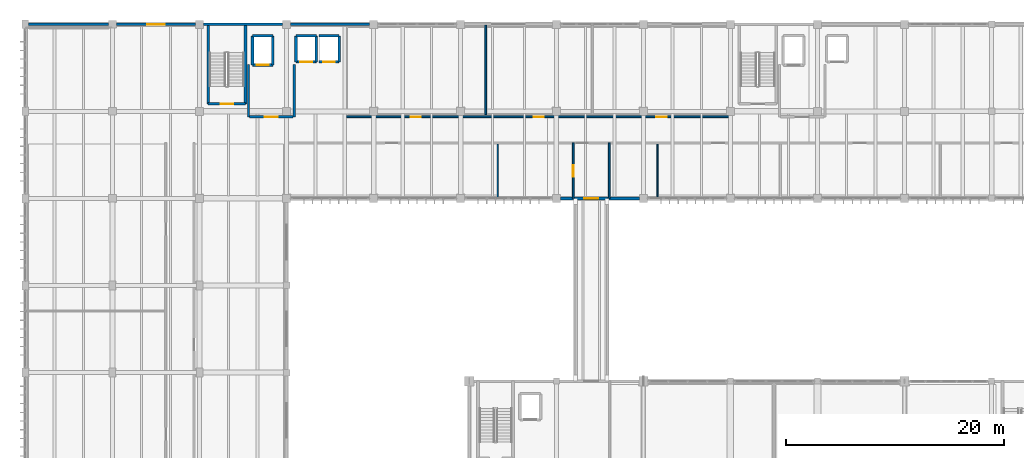
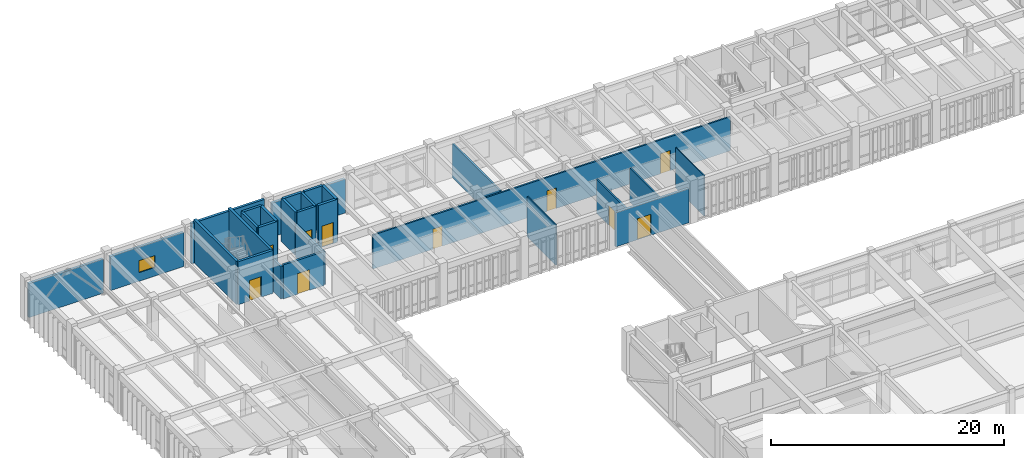
# One storey, part 59 of 79: 28 walls, 10 doors, 1 window, 11 openings.
"""IFC4 building model written with IfcOpenShell, lengths in metres."""

from ifc_helpers import new_model, si_unit, direction, frame, frame_2d, origin, place, context, subcontext, project, spatial, rectangle, extrude, material, layer, layer_set, type_object, element, fill, save


model = new_model("IFC4")

# Units and contexts
model_context = context("Model", 3, precision=1e-05, world=origin(), true_north=direction((0.0, 1.0)))
body_context = subcontext(model_context, "Body", "Model", "MODEL_VIEW")
ifc_project = project(units=[si_unit("LENGTHUNIT", "METRE"), si_unit("AREAUNIT", "SQUARE_METRE"), si_unit("VOLUMEUNIT", "CUBIC_METRE"), si_unit("PLANEANGLEUNIT", "RADIAN"), si_unit("MASSUNIT", "GRAM", prefix="KILO")], contexts=[model_context])

# Site, building, storey
site_placement = place(None, origin())
site = spatial("IfcSite", under=ifc_project, at=site_placement, CompositionType="ELEMENT")
building_placement = place(site_placement, origin())
building = spatial("IfcBuilding", under=site, at=building_placement, Name="Tlaxcora Railside Police Headquarters", CompositionType="ELEMENT")
storey_placement = place(building_placement, frame((0.0, 0.0, 9.0)))
storey = spatial("IfcBuildingStorey", under=building, at=storey_placement, Name="L02", CompositionType="ELEMENT", Elevation=9.0)

# Walls
ifc_material_1 = material(Name="Gypsum acoustic partition board")
ifc_layer_1 = layer(ifc_material_1, 0.10791015625, Name="Gypsum acoustic partition board")
ifc_layer_set_1 = layer_set([ifc_layer_1], Name="Gypsum acoustic partition board")
wall_type_1 = type_object("IfcWallType", Name="Interior Partition Wall IW-19", PredefinedType="PARTITIONING", material=ifc_layer_set_1)
wall_1_placement = place(storey_placement, frame((48.60498046875, 76.8798828125, 0.0), z_axis=(0.0, 0.0, 1.0), x_axis=(0.0, 1.0, 0.0)))
element("IfcWall", 1, at=wall_1_placement, inside=storey, type_object=wall_type_1, Name="V5 L02 interior partition 152", PredefinedType="PARTITIONING", context=body_context, shape_type="SweptSolid", body=[
    extrude(rectangle(XDim=4.920166015625, YDim=0.10791015625, at=frame_2d((2.4599609375, 0.0))), origin(), (0.0, 0.0, 1.0), 4.219970703125),
])
ifc_layer_2 = layer(ifc_material_1, 0.10009765625, Name="Gypsum acoustic partition board")
ifc_layer_set_2 = layer_set([ifc_layer_2], Name="Gypsum acoustic partition board")
wall_type_2 = type_object("IfcWallType", Name="Interior Partition Wall IW-45", PredefinedType="PARTITIONING", material=ifc_layer_set_2)
wall_2_placement = place(storey_placement, frame((63.291015625, 76.8798828125, 0.0), z_axis=(0.0, 0.0, 1.0), x_axis=(0.0, 1.0, 0.0)))
element("IfcWall", 2, at=wall_2_placement, inside=storey, type_object=wall_type_2, Name="V5 L02 interior partition 153", PredefinedType="PARTITIONING", context=body_context, shape_type="SweptSolid", body=[
    extrude(rectangle(XDim=4.920166015625, YDim=0.10009765625, at=frame_2d((2.4599609375, 0.0))), origin(), (0.0, 0.0, 1.0), 4.219970703125),
])

# Wall, opening, door
ifc_material_2 = material(Name="Pressed clay brick masonry", Category="masonry")
ifc_layer_3 = layer(ifc_material_2, 0.199951171875, Name="Pressed clay brick masonry")
ifc_layer_set_3 = layer_set([ifc_layer_3], Name="Pressed clay brick masonry")
wall_type_3 = type_object("IfcWallType", Name="Interior Partition Wall IW-60", PredefinedType="PARTITIONING", material=ifc_layer_set_3)
wall_3_placement = place(storey_placement, frame((25.800048828125, 84.300048828125, 0.0), z_axis=(0.0, 0.0, 1.0), x_axis=(1.0, 0.0, 0.0)))
wall_3 = element("IfcWall", 3, at=wall_3_placement, inside=storey, type_object=wall_type_3, Name="V5 L02 interior partition 118", PredefinedType="PARTITIONING", context=body_context, shape_type="SweptSolid", body=[
    extrude(rectangle(XDim=4.0, YDim=0.199951171875, at=frame_2d((2.0, 0.0))), origin(), (0.0, 0.0, 1.0), 3.554931640625),
])
opening_1_placement = place(wall_3_placement, frame((1.39990234375, 0.0, 0.0)))
opening_1 = element("IfcOpeningElement", 4, at=opening_1_placement, cuts=wall_3, Name="Opening D-L02-158", PredefinedType="OPENING", context=body_context, shape_type="SweptSolid", body=[
    extrude(rectangle(XDim=1.199951171875, YDim=2.14990234375, at=frame_2d((0.60009765625, 1.074951171875))), frame((0.0, 0.10986328125, 0.0), z_axis=(0.0, -1.0, 0.0), x_axis=(1.0, 0.0, 0.0)), (0.0, 0.0, 1.0), 0.219970703125),
])
ifc_material_3 = material(Name="Steel ASTM A992 Grade 50", Category="steel")
door_type_1 = type_object("IfcDoorType", Name="Swing or Sliding Personnel Door ID-14", OperationType="NOTDEFINED", PredefinedType="DOOR", material=ifc_material_3)
door_1_placement = place(opening_1_placement, origin())
door_1 = element("IfcDoor", 5, at=door_1_placement, inside=storey, type_object=door_type_1, Name="V5 L02 door D-L02-158", OperationType="DOUBLE_DOOR_SINGLE_SWING", OverallHeight=2.14990234375, OverallWidth=1.199951171875, PredefinedType="DOOR", context=body_context, shape_type="SweptSolid", body=[
    extrude(rectangle(XDim=1.199951171875, YDim=2.14990234375, at=frame_2d((0.60009765625, 1.074951171875))), frame((0.0, 0.02490234375, 0.0), z_axis=(0.0, -1.0, 0.0), x_axis=(1.0, 0.0, 0.0)), (0.0, 0.0, 1.0), 0.050048828125),
])
fill(opening_1, door_1)

# Walls
wall_4_placement = place(storey_placement, frame((25.699951171875, 84.300048828125, 0.0), z_axis=(0.0, 0.0, 1.0), x_axis=(0.0, 1.0, 0.0)))
element("IfcWall", 6, at=wall_4_placement, inside=storey, type_object=wall_type_3, Name="V5 L02 interior partition 119", PredefinedType="PARTITIONING", context=body_context, shape_type="SweptSolid", body=[
    extrude(rectangle(XDim=4.800048828125, YDim=0.199951171875, at=frame_2d((2.39990234375, 0.0))), origin(), (0.0, 0.0, 1.0), 3.35498046875),
])
wall_5_placement = place(storey_placement, frame((29.89990234375, 84.300048828125, 0.0), z_axis=(0.0, 0.0, 1.0), x_axis=(0.0, 1.0, 0.0)))
element("IfcWall", 7, at=wall_5_placement, inside=storey, type_object=wall_type_3, Name="V5 L02 interior partition 120", PredefinedType="PARTITIONING", context=body_context, shape_type="SweptSolid", body=[
    extrude(rectangle(XDim=4.800048828125, YDim=0.199951171875, at=frame_2d((2.39990234375, 0.0))), origin(), (0.0, 0.0, 1.0), 3.455078125),
])
ifc_layer_4 = layer(ifc_material_1, 0.159912109375, Name="Gypsum acoustic partition board")
ifc_layer_set_4 = layer_set([ifc_layer_4], Name="Gypsum acoustic partition board")
wall_type_4 = type_object("IfcWallType", Name="Interior Partition Wall IW-73", PredefinedType="PARTITIONING", material=ifc_layer_set_4)
wall_6_placement = place(storey_placement, frame((47.510986328125, 84.5, 0.0), z_axis=(0.0, 0.0, 1.0), x_axis=(0.0, 1.0, 0.0)))
element("IfcWall", 8, at=wall_6_placement, inside=storey, type_object=wall_type_4, Name="V5 L02 interior partition 157", PredefinedType="PARTITIONING", context=body_context, shape_type="SweptSolid", body=[
    extrude(rectangle(XDim=8.219970703125, YDim=0.159912109375, at=frame_2d((4.10986328125, 0.0))), origin(), (0.0, 0.0, 1.0), 3.554931640625),
])

# Wall, openings, doors
wall_7_placement = place(storey_placement, frame((34.699951171875, 84.300048828125, 0.0), z_axis=(0.0, 0.0, 1.0), x_axis=(1.0, 0.0, 0.0)))
wall_7 = element("IfcWall", 9, at=wall_7_placement, inside=storey, type_object=wall_type_4, Name="V5 L02 interior partition 159", PredefinedType="PARTITIONING", context=body_context, shape_type="SweptSolid", body=[
    extrude(rectangle(XDim=35.400146484375, YDim=0.159912109375, at=frame_2d((17.7001953125, 0.0))), origin(), (0.0, 0.0, 1.0), 3.554931640625),
])
opening_2_placement = place(wall_7_placement, frame((5.919921875, 0.0, 0.0)))
opening_2 = element("IfcOpeningElement", 10, at=opening_2_placement, cuts=wall_7, Name="Opening D-L02-191", PredefinedType="OPENING", context=body_context, shape_type="SweptSolid", body=[
    extrude(rectangle(XDim=0.919921875, YDim=2.10009765625, at=frame_2d((0.4599609375, 1.050048828125))), frame((0.0, 0.08984375, 0.0), z_axis=(0.0, -1.0, 0.0), x_axis=(1.0, 0.0, 0.0)), (0.0, 0.0, 1.0), 0.179931640625),
])
opening_3_placement = place(wall_7_placement, frame((17.199951171875, 0.0, 0.0)))
opening_3 = element("IfcOpeningElement", 11, at=opening_3_placement, cuts=wall_7, Name="Opening D-L02-192", PredefinedType="OPENING", context=body_context, shape_type="SweptSolid", body=[
    extrude(rectangle(XDim=0.949951171875, YDim=2.14990234375, at=frame_2d((0.47509765625, 1.074951171875))), frame((0.0, 0.08984375, 0.0), z_axis=(0.0, -1.0, 0.0), x_axis=(1.0, 0.0, 0.0)), (0.0, 0.0, 1.0), 0.179931640625),
])
opening_4_placement = place(wall_7_placement, frame((28.47998046875, 0.0, 0.0)))
opening_4 = element("IfcOpeningElement", 12, at=opening_4_placement, cuts=wall_7, Name="Opening D-L02-193", PredefinedType="OPENING", context=body_context, shape_type="SweptSolid", body=[
    extrude(rectangle(XDim=0.97998046875, YDim=2.1201171875, at=frame_2d((0.489990234375, 1.06005859375))), frame((0.0, 0.08984375, 0.0), z_axis=(0.0, -1.0, 0.0), x_axis=(1.0, 0.0, 0.0)), (0.0, 0.0, 1.0), 0.179931640625),
])
door_type_2 = type_object("IfcDoorType", Name="Swing or Sliding Personnel Door ID-31", OperationType="NOTDEFINED", PredefinedType="DOOR", material=ifc_material_3)
door_2_placement = place(opening_3_placement, origin())
door_2 = element("IfcDoor", 13, at=door_2_placement, inside=storey, type_object=door_type_2, Name="V5 L02 door D-L02-192", OperationType="SINGLE_SWING_LEFT", OverallHeight=2.14990234375, OverallWidth=0.949951171875, PredefinedType="DOOR", context=body_context, shape_type="SweptSolid", body=[
    extrude(rectangle(XDim=0.949951171875, YDim=2.14990234375, at=frame_2d((0.47509765625, 1.074951171875))), frame((0.0, 0.02490234375, 0.0), z_axis=(0.0, -1.0, 0.0), x_axis=(1.0, 0.0, 0.0)), (0.0, 0.0, 1.0), 0.050048828125),
])
fill(opening_3, door_2)
door_type_3 = type_object("IfcDoorType", Name="Swing or Sliding Personnel Door ID-49", OperationType="NOTDEFINED", PredefinedType="DOOR", material=ifc_material_3)
door_3_placement = place(opening_2_placement, origin())
door_3 = element("IfcDoor", 14, at=door_3_placement, inside=storey, type_object=door_type_3, Name="V5 L02 door D-L02-191", OperationType="SINGLE_SWING_RIGHT", OverallHeight=2.10009765625, OverallWidth=0.919921875, PredefinedType="DOOR", context=body_context, shape_type="SweptSolid", body=[
    extrude(rectangle(XDim=0.919921875, YDim=2.10009765625, at=frame_2d((0.4599609375, 1.050048828125))), frame((0.0, 0.02490234375, 0.0), z_axis=(0.0, -1.0, 0.0), x_axis=(1.0, 0.0, 0.0)), (0.0, 0.0, 1.0), 0.050048828125),
])
fill(opening_2, door_3)
door_type_4 = type_object("IfcDoorType", Name="Swing or Sliding Personnel Door ID-74", OperationType="NOTDEFINED", PredefinedType="DOOR", material=ifc_material_3)
door_4_placement = place(opening_4_placement, origin())
door_4 = element("IfcDoor", 15, at=door_4_placement, inside=storey, type_object=door_type_4, Name="V5 L02 door D-L02-193", OperationType="SINGLE_SWING_RIGHT", OverallHeight=2.1201171875, OverallWidth=0.97998046875, PredefinedType="DOOR", context=body_context, shape_type="SweptSolid", body=[
    extrude(rectangle(XDim=0.97998046875, YDim=2.1201171875, at=frame_2d((0.489990234375, 1.06005859375))), frame((0.0, 0.02490234375, 0.0), z_axis=(0.0, -1.0, 0.0), x_axis=(1.0, 0.0, 0.0)), (0.0, 0.0, 1.0), 0.050048828125),
])
fill(opening_4, door_4)

# Wall, opening, door
wall_8_placement = place(storey_placement, frame((55.550048828125, 76.800048828125, 0.0), z_axis=(0.0, 0.0, 1.0), x_axis=(0.0, 1.0, 0.0)))
wall_8 = element("IfcWall", 16, at=wall_8_placement, inside=storey, type_object=wall_type_4, Name="V5 L02 interior partition 163", PredefinedType="PARTITIONING", context=body_context, shape_type="SweptSolid", body=[
    extrude(rectangle(XDim=5.099853515625, YDim=0.159912109375, at=frame_2d((2.5498046875, 0.0))), origin(), (0.0, 0.0, 1.0), 3.554931640625),
])
opening_5_placement = place(wall_8_placement, frame((2.0, 0.0, 0.0)))
opening_5 = element("IfcOpeningElement", 17, at=opening_5_placement, cuts=wall_8, Name="Opening D-L02-197", PredefinedType="OPENING", context=body_context, shape_type="SweptSolid", body=[
    extrude(rectangle(XDim=1.050048828125, YDim=2.10009765625, at=frame_2d((0.52490234375, 1.050048828125))), frame((0.0, 0.08984375, 0.0), z_axis=(0.0, -1.0, 0.0), x_axis=(1.0, 0.0, 0.0)), (0.0, 0.0, 1.0), 0.179931640625),
])
door_type_5 = type_object("IfcDoorType", Name="Swing or Sliding Personnel Door ID-52", OperationType="NOTDEFINED", PredefinedType="DOOR", material=ifc_material_3)
door_5_placement = place(opening_5_placement, origin())
door_5 = element("IfcDoor", 18, at=door_5_placement, inside=storey, type_object=door_type_5, Name="V5 L02 door D-L02-197", OperationType="SINGLE_SWING_RIGHT", OverallHeight=2.10009765625, OverallWidth=1.050048828125, PredefinedType="DOOR", context=body_context, shape_type="SweptSolid", body=[
    extrude(rectangle(XDim=1.050048828125, YDim=2.10009765625, at=frame_2d((0.52490234375, 1.050048828125))), frame((0.0, 0.02490234375, 0.0), z_axis=(0.0, -1.0, 0.0), x_axis=(1.0, 0.0, 0.0)), (0.0, 0.0, 1.0), 0.050048828125),
])
fill(opening_5, door_5)

# Wall
wall_9_placement = place(storey_placement, frame((58.85009765625, 76.800048828125, 0.0), z_axis=(0.0, 0.0, 1.0), x_axis=(0.0, 1.0, 0.0)))
element("IfcWall", 19, at=wall_9_placement, inside=storey, type_object=wall_type_4, Name="V5 L02 interior partition 164", PredefinedType="PARTITIONING", context=body_context, shape_type="SweptSolid", body=[
    extrude(rectangle(XDim=5.099853515625, YDim=0.159912109375, at=frame_2d((2.5498046875, 0.0))), origin(), (0.0, 0.0, 1.0), 3.554931640625),
])

# Wall, opening, door
ifc_material_4 = material(Name="Concrete C40/50", Category="concrete")
ifc_layer_5 = layer(ifc_material_4, 0.25, Name="Concrete C40/50")
ifc_layer_set_5 = layer_set([ifc_layer_5], Name="Concrete C40/50")
wall_type_5 = type_object("IfcWallType", Name="Shear Core Wall IW-13", PredefinedType="SHEAR", material=ifc_layer_set_5)
wall_10_placement = place(storey_placement, frame((22.0, 85.5, 0.0), z_axis=(0.0, 0.0, 1.0), x_axis=(1.0, 0.0, 0.0)))
wall_10 = element("IfcWall", 20, at=wall_10_placement, inside=storey, type_object=wall_type_5, Name="CORE-C1 L02 stair core wall S", PredefinedType="SHEAR", context=body_context, shape_type="SweptSolid", body=[
    extrude(rectangle(XDim=3.419921875, YDim=0.25, at=frame_2d((1.7099609375, 0.0))), origin(), (0.0, 0.0, 1.0), 4.5),
])
opening_6_placement = place(wall_10_placement, frame((1.135009765625, 0.0, 0.0)))
opening_6 = element("IfcOpeningElement", 21, at=opening_6_placement, cuts=wall_10, Name="Opening SD-L02-004", PredefinedType="OPENING", context=body_context, shape_type="SweptSolid", body=[
    extrude(rectangle(XDim=1.14990234375, YDim=2.14990234375, at=frame_2d((0.574951171875, 1.074951171875))), frame((0.0, 0.135009765625, 0.0), z_axis=(0.0, -1.0, 0.0), x_axis=(1.0, 0.0, 0.0)), (0.0, 0.0, 1.0), 0.27001953125),
])
door_type_6 = type_object("IfcDoorType", Name="Swing or Sliding Personnel Door ID-73", OperationType="NOTDEFINED", PredefinedType="DOOR", material=ifc_material_3)
door_6_placement = place(opening_6_placement, origin())
door_6 = element("IfcDoor", 22, at=door_6_placement, inside=storey, type_object=door_type_6, Name="Stair ST1 L02 enclosure fire door", OperationType="SINGLE_SWING_RIGHT", OverallHeight=2.14990234375, OverallWidth=1.14990234375, PredefinedType="DOOR", context=body_context, shape_type="SweptSolid", body=[
    extrude(rectangle(XDim=1.14990234375, YDim=2.14990234375, at=frame_2d((0.574951171875, 1.074951171875))), frame((0.0, 0.02490234375, 0.0), z_axis=(0.0, -1.0, 0.0), x_axis=(1.0, 0.0, 0.0)), (0.0, 0.0, 1.0), 0.050048828125),
])
fill(opening_6, door_6)

# Walls
for number, where, z_axis, x_axis, name in (
    (23, (25.419921875, 85.5, 0.0), (0.0, 0.0, 1.0), (0.0, 1.0, 0.0), "CORE-C1 L02 stair core wall E"),
    (24, (22.0, 92.800048828125, 0.0), (0.0, 0.0, 1.0), (0.0, -1.0, 0.0), "CORE-C1 L02 stair core wall W"),
):
    element("IfcWall", number, at=place(storey_placement, frame(where, z_axis=z_axis, x_axis=x_axis)), inside=storey, type_object=wall_type_5, Name=name, PredefinedType="SHEAR", context=body_context, shape_type="SweptSolid", body=[
        extrude(rectangle(XDim=7.300048828125, YDim=0.25, at=frame_2d((3.64990234375, 0.0))), origin(), (0.0, 0.0, 1.0), 4.5),
    ])

# Wall, opening, door
wall_11_placement = place(storey_placement, frame((26.06005859375, 89.06005859375, 0.0), z_axis=(0.0, 0.0, 1.0), x_axis=(1.0, 0.0, 0.0)))
wall_11 = element("IfcWall", 25, at=wall_11_placement, inside=storey, type_object=wall_type_5, Name="Lift FFL-01 L02 shaft wall S", PredefinedType="SHEAR", context=body_context, shape_type="SweptSolid", body=[
    extrude(rectangle(XDim=1.8798828125, YDim=0.25, at=frame_2d((0.93994140625, 0.0))), origin(), (0.0, 0.0, 1.0), 4.5),
])
opening_7_placement = place(wall_11_placement, frame((0.389892578125, 0.0, 0.0)))
opening_7 = element("IfcOpeningElement", 26, at=opening_7_placement, cuts=wall_11, Name="Opening LD-FFL-01-L02", PredefinedType="OPENING", context=body_context, shape_type="SweptSolid", body=[
    extrude(rectangle(XDim=1.10009765625, YDim=2.199951171875, at=frame_2d((0.550048828125, 1.10009765625))), frame((0.0, 0.135009765625, 0.0), z_axis=(0.0, -1.0, 0.0), x_axis=(1.0, 0.0, 0.0)), (0.0, 0.0, 1.0), 0.27001953125),
])
door_type_7 = type_object("IfcDoorType", Name="Swing or Sliding Personnel Door ID-15", OperationType="NOTDEFINED", PredefinedType="DOOR", material=ifc_material_3)
door_7_placement = place(opening_7_placement, origin())
door_7 = element("IfcDoor", 27, at=door_7_placement, inside=storey, type_object=door_type_7, Name="Lift FFL-01 L02 sliding landing door", OperationType="DOUBLE_DOOR_SLIDING", OverallHeight=2.199951171875, OverallWidth=1.10009765625, PredefinedType="DOOR", context=body_context, shape_type="SweptSolid", body=[
    extrude(rectangle(XDim=1.10009765625, YDim=2.199951171875, at=frame_2d((0.550048828125, 1.10009765625))), frame((0.0, 0.02490234375, 0.0), z_axis=(0.0, -1.0, 0.0), x_axis=(1.0, 0.0, 0.0)), (0.0, 0.0, 1.0), 0.050048828125),
])
fill(opening_7, door_7)

# Walls
wall_12_placement = place(storey_placement, frame((27.93994140625, 89.06005859375, 0.0), z_axis=(0.0, 0.0, 1.0), x_axis=(0.0, 1.0, 0.0)))
element("IfcWall", 28, at=wall_12_placement, inside=storey, type_object=wall_type_5, Name="Lift FFL-01 L02 shaft wall E", PredefinedType="SHEAR", context=body_context, shape_type="SweptSolid", body=[
    extrude(rectangle(XDim=2.679931640625, YDim=0.25, at=frame_2d((1.33984375, 0.0))), origin(), (0.0, 0.0, 1.0), 4.5),
])
wall_13_placement = place(storey_placement, frame((27.93994140625, 91.739990234375, 0.0), z_axis=(0.0, 0.0, 1.0), x_axis=(-1.0, 0.0, 0.0)))
element("IfcWall", 29, at=wall_13_placement, inside=storey, type_object=wall_type_5, Name="Lift FFL-01 L02 shaft wall N", PredefinedType="SHEAR", context=body_context, shape_type="SweptSolid", body=[
    extrude(rectangle(XDim=1.8798828125, YDim=0.25, at=frame_2d((0.93994140625, 0.0))), origin(), (0.0, 0.0, 1.0), 4.5),
])
wall_14_placement = place(storey_placement, frame((26.06005859375, 91.739990234375, 0.0), z_axis=(0.0, 0.0, 1.0), x_axis=(0.0, -1.0, 0.0)))
element("IfcWall", 30, at=wall_14_placement, inside=storey, type_object=wall_type_5, Name="Lift FFL-01 L02 shaft wall W", PredefinedType="SHEAR", context=body_context, shape_type="SweptSolid", body=[
    extrude(rectangle(XDim=2.679931640625, YDim=0.25, at=frame_2d((1.33984375, 0.0))), origin(), (0.0, 0.0, 1.0), 4.5),
])

# Wall, opening, door
wall_15_placement = place(storey_placement, frame((30.06005859375, 89.360107421875, 0.0), z_axis=(0.0, 0.0, 1.0), x_axis=(1.0, 0.0, 0.0)))
wall_15 = element("IfcWall", 31, at=wall_15_placement, inside=storey, type_object=wall_type_5, Name="Lift PL-01 L02 shaft wall S", PredefinedType="SHEAR", context=body_context, shape_type="SweptSolid", body=[
    extrude(rectangle(XDim=1.8798828125, YDim=0.25, at=frame_2d((0.93994140625, 0.0))), origin(), (0.0, 0.0, 1.0), 4.5),
])
opening_8_placement = place(wall_15_placement, frame((0.389892578125, 0.0, 0.0)))
opening_8 = element("IfcOpeningElement", 32, at=opening_8_placement, cuts=wall_15, Name="Opening LD-PL-01-L02", PredefinedType="OPENING", context=body_context, shape_type="SweptSolid", body=[
    extrude(rectangle(XDim=1.10009765625, YDim=2.199951171875, at=frame_2d((0.550048828125, 1.10009765625))), frame((0.0, 0.135009765625, 0.0), z_axis=(0.0, -1.0, 0.0), x_axis=(1.0, 0.0, 0.0)), (0.0, 0.0, 1.0), 0.27001953125),
])
door_8_placement = place(opening_8_placement, origin())
door_8 = element("IfcDoor", 33, at=door_8_placement, inside=storey, type_object=door_type_7, Name="Lift PL-01 L02 sliding landing door", OperationType="DOUBLE_DOOR_SLIDING", OverallHeight=2.199951171875, OverallWidth=1.10009765625, PredefinedType="DOOR", context=body_context, shape_type="SweptSolid", body=[
    extrude(rectangle(XDim=1.10009765625, YDim=2.199951171875, at=frame_2d((0.550048828125, 1.10009765625))), frame((0.0, 0.02490234375, 0.0), z_axis=(0.0, -1.0, 0.0), x_axis=(1.0, 0.0, 0.0)), (0.0, 0.0, 1.0), 0.050048828125),
])
fill(opening_8, door_8)

# Walls
wall_16_placement = place(storey_placement, frame((31.93994140625, 89.360107421875, 0.0), z_axis=(0.0, 0.0, 1.0), x_axis=(0.0, 1.0, 0.0)))
element("IfcWall", 34, at=wall_16_placement, inside=storey, type_object=wall_type_5, Name="Lift PL-01 L02 shaft wall E", PredefinedType="SHEAR", context=body_context, shape_type="SweptSolid", body=[
    extrude(rectangle(XDim=2.3798828125, YDim=0.25, at=frame_2d((1.18994140625, 0.0))), origin(), (0.0, 0.0, 1.0), 4.5),
])
wall_17_placement = place(storey_placement, frame((31.93994140625, 91.739990234375, 0.0), z_axis=(0.0, 0.0, 1.0), x_axis=(-1.0, 0.0, 0.0)))
element("IfcWall", 35, at=wall_17_placement, inside=storey, type_object=wall_type_5, Name="Lift PL-01 L02 shaft wall N", PredefinedType="SHEAR", context=body_context, shape_type="SweptSolid", body=[
    extrude(rectangle(XDim=1.8798828125, YDim=0.25, at=frame_2d((0.93994140625, 0.0))), origin(), (0.0, 0.0, 1.0), 4.5),
])
wall_18_placement = place(storey_placement, frame((30.06005859375, 91.739990234375, 0.0), z_axis=(0.0, 0.0, 1.0), x_axis=(0.0, -1.0, 0.0)))
element("IfcWall", 36, at=wall_18_placement, inside=storey, type_object=wall_type_5, Name="Lift PL-01 L02 shaft wall W", PredefinedType="SHEAR", context=body_context, shape_type="SweptSolid", body=[
    extrude(rectangle(XDim=2.3798828125, YDim=0.25, at=frame_2d((1.18994140625, 0.0))), origin(), (0.0, 0.0, 1.0), 4.5),
])

# Wall, opening, door
wall_19_placement = place(storey_placement, frame((32.159912109375, 89.360107421875, 0.0), z_axis=(0.0, 0.0, 1.0), x_axis=(1.0, 0.0, 0.0)))
wall_19 = element("IfcWall", 37, at=wall_19_placement, inside=storey, type_object=wall_type_5, Name="Lift PL-02 L02 shaft wall S", PredefinedType="SHEAR", context=body_context, shape_type="SweptSolid", body=[
    extrude(rectangle(XDim=1.880126953125, YDim=0.25, at=frame_2d((0.93994140625, 0.0))), origin(), (0.0, 0.0, 1.0), 4.5),
])
opening_9_placement = place(wall_19_placement, frame((0.389892578125, 0.0, 0.0)))
opening_9 = element("IfcOpeningElement", 38, at=opening_9_placement, cuts=wall_19, Name="Opening LD-PL-02-L02", PredefinedType="OPENING", context=body_context, shape_type="SweptSolid", body=[
    extrude(rectangle(XDim=1.10009765625, YDim=2.199951171875, at=frame_2d((0.550048828125, 1.10009765625))), frame((0.0, 0.135009765625, 0.0), z_axis=(0.0, -1.0, 0.0), x_axis=(1.0, 0.0, 0.0)), (0.0, 0.0, 1.0), 0.27001953125),
])
door_9_placement = place(opening_9_placement, origin())
door_9 = element("IfcDoor", 39, at=door_9_placement, inside=storey, type_object=door_type_7, Name="Lift PL-02 L02 sliding landing door", OperationType="DOUBLE_DOOR_SLIDING", OverallHeight=2.199951171875, OverallWidth=1.10009765625, PredefinedType="DOOR", context=body_context, shape_type="SweptSolid", body=[
    extrude(rectangle(XDim=1.10009765625, YDim=2.199951171875, at=frame_2d((0.550048828125, 1.10009765625))), frame((0.0, 0.02490234375, 0.0), z_axis=(0.0, -1.0, 0.0), x_axis=(1.0, 0.0, 0.0)), (0.0, 0.0, 1.0), 0.050048828125),
])
fill(opening_9, door_9)

# Walls
wall_20_placement = place(storey_placement, frame((34.0400390625, 89.360107421875, 0.0), z_axis=(0.0, 0.0, 1.0), x_axis=(0.0, 1.0, 0.0)))
element("IfcWall", 40, at=wall_20_placement, inside=storey, type_object=wall_type_5, Name="Lift PL-02 L02 shaft wall E", PredefinedType="SHEAR", context=body_context, shape_type="SweptSolid", body=[
    extrude(rectangle(XDim=2.3798828125, YDim=0.25, at=frame_2d((1.18994140625, 0.0))), origin(), (0.0, 0.0, 1.0), 4.5),
])
wall_21_placement = place(storey_placement, frame((34.0400390625, 91.739990234375, 0.0), z_axis=(0.0, 0.0, 1.0), x_axis=(-1.0, 0.0, 0.0)))
element("IfcWall", 41, at=wall_21_placement, inside=storey, type_object=wall_type_5, Name="Lift PL-02 L02 shaft wall N", PredefinedType="SHEAR", context=body_context, shape_type="SweptSolid", body=[
    extrude(rectangle(XDim=1.880126953125, YDim=0.25, at=frame_2d((0.93994140625, 0.0))), origin(), (0.0, 0.0, 1.0), 4.5),
])

# Wall, opening, door
ifc_material_5 = material(Name="Precast concrete C40/50", Category="concrete")
ifc_layer_6 = layer(ifc_material_5, 0.2451171875, Name="Precast concrete C40/50")
ifc_layer_set_6 = layer_set([ifc_layer_6], Name="Precast concrete C40/50")
wall_type_6 = type_object("IfcWallType", Name="Structural Bearing Wall EW-94", PredefinedType="SOLIDWALL", material=ifc_layer_set_6)
wall_22_placement = place(storey_placement, frame((54.375, 76.800048828125, 0.0), z_axis=(0.0, 0.0, 1.0), x_axis=(1.0, 0.0, 0.0)))
wall_22 = element("IfcWall", 42, at=wall_22_placement, inside=storey, type_object=wall_type_6, Name="V5 L02 exterior wall 2.3", PredefinedType="SOLIDWALL", context=body_context, shape_type="SweptSolid", body=[
    extrude(rectangle(XDim=7.25, YDim=0.2451171875, at=frame_2d((3.625, 0.0))), origin(), (0.0, 0.0, 1.0), 3.570068359375),
])
opening_10_placement = place(wall_22_placement, frame((2.175048828125, 0.0, 0.0)))
opening_10 = element("IfcOpeningElement", 43, at=opening_10_placement, cuts=wall_22, Name="Opening BD-02", PredefinedType="OPENING", context=body_context, shape_type="SweptSolid", body=[
    extrude(rectangle(XDim=1.300048828125, YDim=2.199951171875, at=frame_2d((0.64990234375, 1.10009765625))), frame((0.0, 0.132568359375, 0.0), z_axis=(0.0, -1.0, 0.0), x_axis=(1.0, 0.0, 0.0)), (0.0, 0.0, 1.0), 0.26513671875),
])
ifc_material_6 = material(Name="Anodised aluminium framing", Category="aluminium")
door_type_8 = type_object("IfcDoorType", Name="Swing or Sliding Personnel Door ED-62", OperationType="NOTDEFINED", PredefinedType="DOOR", material=ifc_material_6)
door_10_placement = place(opening_10_placement, frame((1.300048828125, 0.0, 0.0), z_axis=(0.0, 0.0, 1.0), x_axis=(-1.0, 0.0, 0.0)))
door_10 = element("IfcDoor", 44, at=door_10_placement, inside=storey, type_object=door_type_8, Name="L02 seismic link bridge N portal door", OperationType="SINGLE_SWING_LEFT", OverallHeight=2.199951171875, OverallWidth=1.300048828125, PredefinedType="DOOR", context=body_context, shape_type="SweptSolid", body=[
    extrude(rectangle(XDim=1.300048828125, YDim=2.199951171875, at=frame_2d((0.64990234375, 1.10009765625))), frame((0.0, 0.02490234375, 0.0), z_axis=(0.0, -1.0, 0.0), x_axis=(1.0, 0.0, 0.0)), (0.0, 0.0, 1.0), 0.050048828125),
])
fill(opening_10, door_10)

# Walls
wall_23_placement = place(storey_placement, frame((36.824951171875, 92.800048828125, 0.0), z_axis=(0.0, 0.0, 1.0), x_axis=(-1.0, 0.0, 0.0)))
element("IfcWall", 45, at=wall_23_placement, inside=storey, type_object=wall_type_6, Name="V5 L02 exterior wall 4.8", PredefinedType="SOLIDWALL", context=body_context, shape_type="SweptSolid", body=[
    extrude(rectangle(XDim=7.25, YDim=0.2451171875, at=frame_2d((3.625, 0.0))), origin(), (0.0, 0.0, 1.0), 3.570068359375),
])
wall_24_placement = place(storey_placement, frame((28.824951171875, 92.800048828125, 0.0), z_axis=(0.0, 0.0, 1.0), x_axis=(-1.0, 0.0, 0.0)))
element("IfcWall", 46, at=wall_24_placement, inside=storey, type_object=wall_type_6, Name="V5 L02 exterior wall 4.9", PredefinedType="SOLIDWALL", context=body_context, shape_type="SweptSolid", body=[
    extrude(rectangle(XDim=7.25, YDim=0.2451171875, at=frame_2d((3.625, 0.0))), origin(), (0.0, 0.0, 1.0), 4.219970703125),
])

# Wall, opening, window
wall_25_placement = place(storey_placement, frame((20.824951171875, 92.800048828125, 0.0), z_axis=(0.0, 0.0, 1.0), x_axis=(-1.0, 0.0, 0.0)))
wall_25 = element("IfcWall", 47, at=wall_25_placement, inside=storey, type_object=wall_type_6, Name="V5 L02 exterior wall 4.10", PredefinedType="SOLIDWALL", context=body_context, shape_type="SweptSolid", body=[
    extrude(rectangle(XDim=7.27490234375, YDim=0.2451171875, at=frame_2d((3.637451171875, 0.0))), origin(), (0.0, 0.0, 1.0), 3.570068359375),
])
opening_11_placement = place(wall_25_placement, frame((2.83740234375, 0.0, 0.89990234375)))
opening_11 = element("IfcOpeningElement", 48, at=opening_11_placement, cuts=wall_25, Name="Opening WN-63", PredefinedType="OPENING", context=body_context, shape_type="SweptSolid", body=[
    extrude(rectangle(XDim=1.60009765625, YDim=1.25, at=frame_2d((0.800048828125, 0.625))), frame((0.0, 0.132568359375, 0.0), z_axis=(0.0, -1.0, 0.0), x_axis=(1.0, 0.0, 0.0)), (0.0, 0.0, 1.0), 0.26513671875),
])
ifc_material_7 = material(Name="Thermally broken low-E insulated glazing", Category="glass")
window_type = type_object("IfcWindowType", Name="Exterior Framed or Circular Window WN-63", PartitioningType="SINGLE_PANEL", PredefinedType="WINDOW", material=ifc_material_7)
window_placement = place(opening_11_placement, origin())
window = element("IfcWindow", 49, at=window_placement, inside=storey, type_object=window_type, Name="V5 L02 window 131", OverallHeight=1.25, OverallWidth=1.60009765625, PartitioningType="SINGLE_PANEL", PredefinedType="WINDOW", context=body_context, shape_type="SweptSolid", body=[
    extrude(rectangle(XDim=1.60009765625, YDim=1.25, at=frame_2d((0.800048828125, 0.625))), frame((0.0, 0.030029296875, 0.0), z_axis=(0.0, -1.0, 0.0), x_axis=(1.0, 0.0, 0.0)), (0.0, 0.0, 1.0), 0.06005859375),
])
fill(opening_11, window)

# Wall
wall_26_placement = place(storey_placement, frame((12.85009765625, 92.800048828125, 0.0), z_axis=(0.0, 0.0, 1.0), x_axis=(-1.0, 0.0, 0.0)))
element("IfcWall", 50, at=wall_26_placement, inside=storey, type_object=wall_type_6, Name="V5 L02 exterior wall 4.11", PredefinedType="SOLIDWALL", context=body_context, shape_type="SweptSolid", body=[
    extrude(rectangle(XDim=7.35009765625, YDim=0.2451171875, at=frame_2d((3.675048828125, 0.0))), origin(), (0.0, 0.0, 1.0), 3.570068359375),
])

save(model, "model.ifc")
